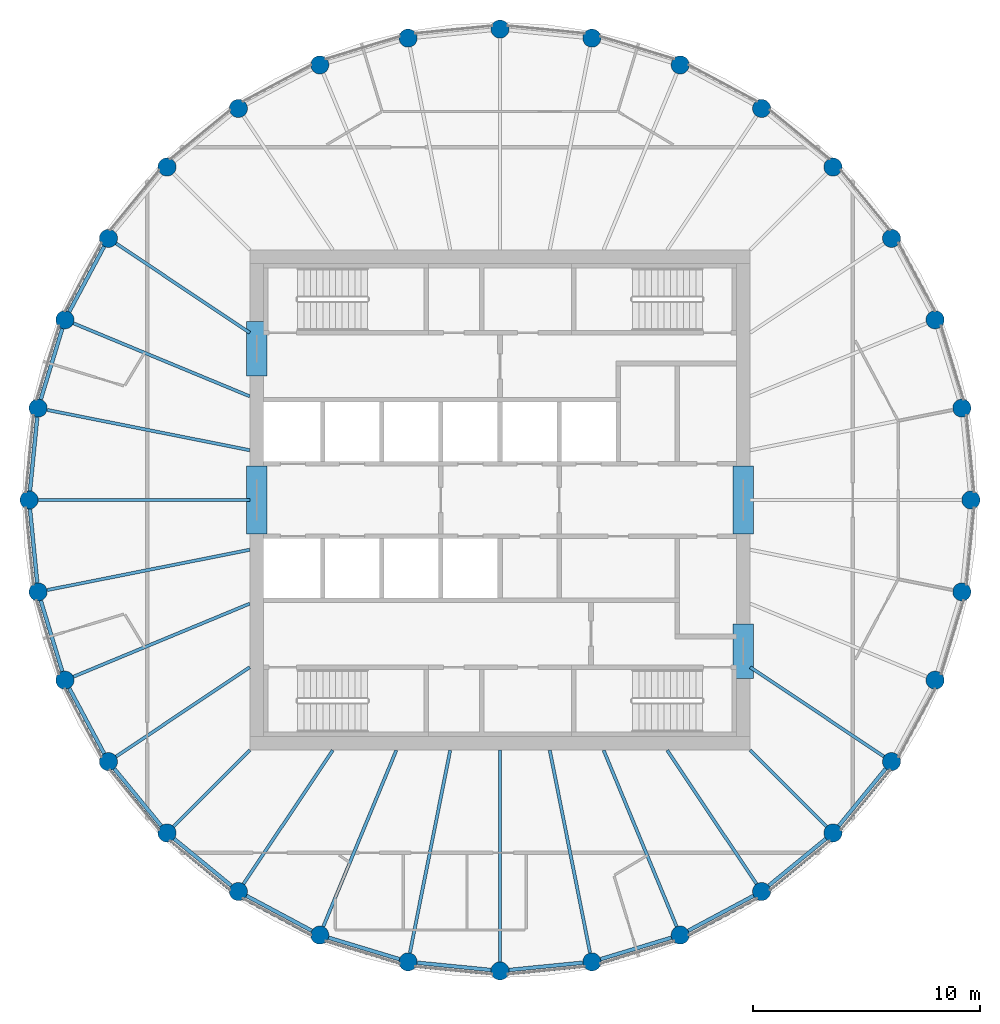
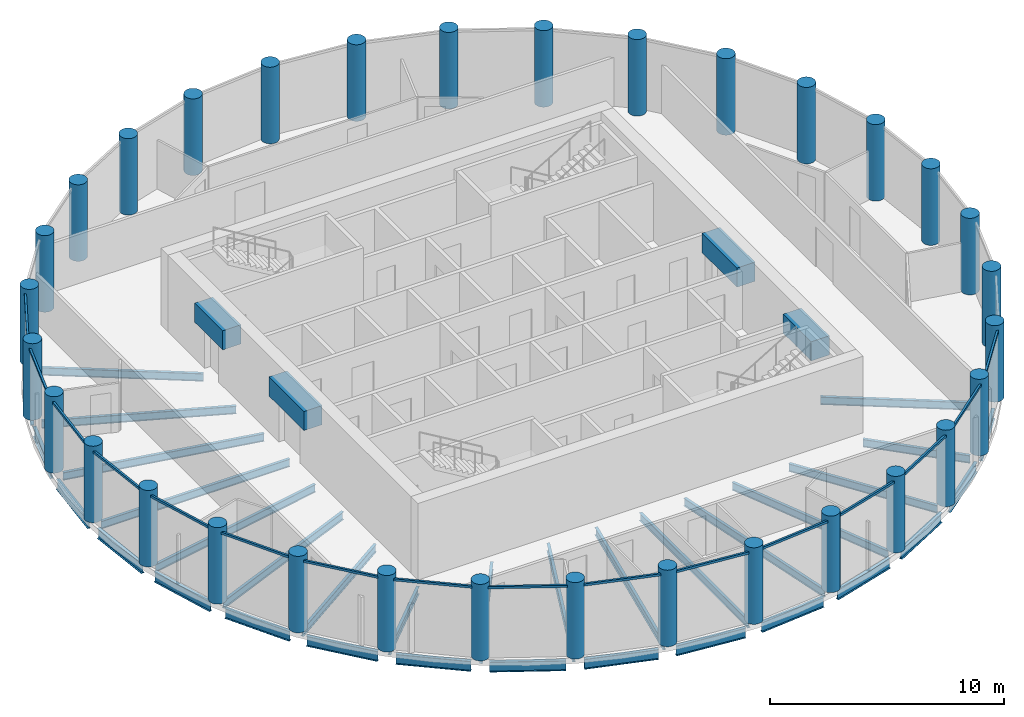
# One storey, part 1 of 7: 37 beams, 32 columns, 16 members, 16 elements without a shape of their own.
"""IFC4 building model written with IfcOpenShell, lengths in metres."""

from ifc_helpers import new_model, si_unit, direction, frame, origin, origin_2d, place, context, subcontext, project, spatial, rectangle, circle, i_section, extrude, material, material_profile, profile_set, type_object, element, aggregate, save


model = new_model("IFC4")

# Units and contexts
model_context = context("Model", 3, precision=1e-05, world=origin(), true_north=direction((0.0, 1.0)))
body_context = subcontext(model_context, "Body", "Model", "MODEL_VIEW")
ifc_project = project(units=[si_unit("LENGTHUNIT", "METRE"), si_unit("AREAUNIT", "SQUARE_METRE"), si_unit("VOLUMEUNIT", "CUBIC_METRE"), si_unit("PLANEANGLEUNIT", "RADIAN"), si_unit("MASSUNIT", "GRAM", prefix="KILO")], contexts=[model_context])

# Site, building, storey
site_placement = place(None, origin())
site = spatial("IfcSite", under=ifc_project, at=site_placement, CompositionType="ELEMENT")
building_placement = place(site_placement, origin())
building = spatial("IfcBuilding", under=site, at=building_placement, Name="Corvane Civic Tower", CompositionType="ELEMENT")
storey_placement = place(building_placement, frame((0.0, 0.0, 376.5)))
storey = spatial("IfcBuildingStorey", under=building, at=storey_placement, Name="L90", CompositionType="ELEMENT", Elevation=376.5)

# Columns
ifc_material_1 = material(Name="Concrete C60/75", Category="concrete")
ifc_material_profile_1 = material_profile(ifc_material_1, circle(Radius=0.39990234375, at=origin_2d()), Name="COLUMN 800")
ifc_profile_set_1 = profile_set([ifc_material_profile_1], Name="Concrete C60/75")
column_type = type_object("IfcColumnType", Name="RC COLUMN COLUMN 800", PredefinedType="COLUMN", material=ifc_profile_set_1)
for number, where, z_axis, x_axis, name in (
    (1, (0.0, 20.699951171875, 0.0), (0.0, 0.0, 1.0), (1.0, 0.0, 0.0), "COL-L90-F01"),
    (2, (4.038330078125, 20.30224609375, 0.0), (0.0, 0.0, 1.0), (1.0, 0.0, 0.0), "COL-L90-F02"),
    (3, (7.921630859375, 19.124267578125, 0.0), (0.0, 0.0, 1.0), (1.0, 0.0, 0.0), "COL-L90-F03"),
    (4, (11.500244140625, 17.21142578125, 0.0), (0.0, 0.0, 1.0), (1.0, 0.0, 0.0), "COL-L90-F04"),
    (5, (14.63720703125, 14.63720703125, 0.0), (0.0, 0.0, 1.0), (1.0, 0.0, 0.0), "COL-L90-F05"),
    (6, (17.21142578125, 11.500244140625, 0.0), (0.0, 0.0, 1.0), (1.0, 0.0, 0.0), "COL-L90-F06"),
    (7, (19.124267578125, 7.921630859375, 0.0), (0.0, 0.0, 1.0), (1.0, 0.0, 0.0), "COL-L90-F07"),
    (8, (20.30224609375, 4.038330078125, 0.0), (0.0, 0.0, 1.0), (1.0, 0.0, 0.0), "COL-L90-F08"),
    (9, (20.699951171875, 0.0, 0.0), (0.0, 0.0, 1.0), (1.0, 0.0, 0.0), "COL-L90-F09"),
    (10, (20.30224609375, -4.038330078125, 0.0), (0.0, 0.0, 1.0), (1.0, 0.0, 0.0), "COL-L90-F10"),
    (11, (19.124267578125, -7.921630859375, 0.0), (0.0, 0.0, 1.0), (1.0, 0.0, 0.0), "COL-L90-F11"),
    (12, (17.21142578125, -11.500244140625, 0.0), (0.0, 0.0, 1.0), (1.0, 0.0, 0.0), "COL-L90-F12"),
    (13, (14.63720703125, -14.63720703125, 0.0), (0.0, 0.0, 1.0), (1.0, 0.0, 0.0), "COL-L90-F13"),
    (14, (11.500244140625, -17.21142578125, 0.0), (0.0, 0.0, 1.0), (1.0, 0.0, 0.0), "COL-L90-F14"),
    (15, (7.921630859375, -19.124267578125, 0.0), (0.0, 0.0, 1.0), (1.0, 0.0, 0.0), "COL-L90-F15"),
    (16, (4.038330078125, -20.30224609375, 0.0), (0.0, 0.0, 1.0), (1.0, 0.0, 0.0), "COL-L90-F16"),
    (17, (0.0, -20.699951171875, 0.0), (0.0, 0.0, 1.0), (1.0, 0.0, 0.0), "COL-L90-F17"),
    (18, (-4.038330078125, -20.30224609375, 0.0), (0.0, 0.0, 1.0), (1.0, 0.0, 0.0), "COL-L90-F18"),
    (19, (-7.921630859375, -19.124267578125, 0.0), (0.0, 0.0, 1.0), (1.0, 0.0, 0.0), "COL-L90-F19"),
    (20, (-11.500244140625, -17.21142578125, 0.0), (0.0, 0.0, 1.0), (1.0, 0.0, 0.0), "COL-L90-F20"),
    (21, (-14.63720703125, -14.63720703125, 0.0), (0.0, 0.0, 1.0), (1.0, 0.0, 0.0), "COL-L90-F21"),
    (22, (-17.21142578125, -11.500244140625, 0.0), (0.0, 0.0, 1.0), (1.0, 0.0, 0.0), "COL-L90-F22"),
    (23, (-19.124267578125, -7.921630859375, 0.0), (0.0, 0.0, 1.0), (1.0, 0.0, 0.0), "COL-L90-F23"),
    (24, (-20.30224609375, -4.038330078125, 0.0), (0.0, 0.0, 1.0), (1.0, 0.0, 0.0), "COL-L90-F24"),
    (25, (-20.699951171875, 0.0, 0.0), (0.0, 0.0, 1.0), (1.0, 0.0, 0.0), "COL-L90-F25"),
    (26, (-20.30224609375, 4.038330078125, 0.0), (0.0, 0.0, 1.0), (1.0, 0.0, 0.0), "COL-L90-F26"),
    (27, (-19.124267578125, 7.921630859375, 0.0), (0.0, 0.0, 1.0), (1.0, 0.0, 0.0), "COL-L90-F27"),
    (28, (-17.21142578125, 11.500244140625, 0.0), (0.0, 0.0, 1.0), (1.0, 0.0, 0.0), "COL-L90-F28"),
    (29, (-14.63720703125, 14.63720703125, 0.0), (0.0, 0.0, 1.0), (1.0, 0.0, 0.0), "COL-L90-F29"),
    (30, (-11.500244140625, 17.21142578125, 0.0), (0.0, 0.0, 1.0), (1.0, 0.0, 0.0), "COL-L90-F30"),
    (31, (-7.921630859375, 19.124267578125, 0.0), (0.0, 0.0, 1.0), (1.0, 0.0, 0.0), "COL-L90-F31"),
    (32, (-4.038330078125, 20.30224609375, 0.0), (0.0, 0.0, 1.0), (1.0, 0.0, 0.0), "COL-L90-F32"),
):
    element("IfcColumn", number, at=place(storey_placement, frame(where, z_axis=z_axis, x_axis=x_axis)), inside=storey, type_object=column_type, Name=name, PredefinedType="COLUMN", context=body_context, shape_type="SweptSolid", body=[
        extrude(circle(Radius=0.39990234375, at=origin_2d()), origin(), (0.0, 0.0, 1.0), 4.0),
    ])

# Beams
ifc_material_2 = material(Name="Concrete C40/50", Category="concrete")
ifc_material_profile_2 = material_profile(ifc_material_2, rectangle(XDim=0.89990234375, YDim=1.0, at=origin_2d()), Name="COUPLING BEAM 900X1000")
ifc_profile_set_2 = profile_set([ifc_material_profile_2], Name="Concrete C40/50")
beam_type_1 = type_object("IfcBeamType", Name="COUPLING BEAM COUPLING BEAM 900X1000", PredefinedType="BEAM", material=ifc_profile_set_2)
for number, where, z_axis, x_axis, name in (
    (33, (-10.699951171875, -1.5, 2.60009765625), (0.0, 1.0, 0.0), (-1.0, 0.0, 0.0), "BM-L90-cpl-CW-LW"),
    (34, (10.699951171875, -1.5, 2.60009765625), (0.0, 1.0, 0.0), (-1.0, 0.0, 0.0), "BM-L90-cpl-CW-LE"),
):
    element("IfcBeam", number, at=place(storey_placement, frame(where, z_axis=z_axis, x_axis=x_axis)), inside=storey, type_object=beam_type_1, Name=name, PredefinedType="BEAM", context=body_context, shape_type="SweptSolid", body=[
        extrude(rectangle(XDim=0.89990234375, YDim=1.0, at=origin_2d()), origin(), (0.0, 0.0, 1.0), 3.0),
    ])
for number, where, z_axis, x_axis, name in (
    (35, (-10.699951171875, 5.449951171875, 2.60009765625), (0.0, 1.0, 0.0), (-1.0, 0.0, 0.0), "BM-L90-cpl-CW-WN"),
    (36, (10.699951171875, -7.85009765625, 2.60009765625), (0.0, 1.0, 0.0), (-1.0, 0.0, 0.0), "BM-L90-cpl-CW-ES"),
):
    element("IfcBeam", number, at=place(storey_placement, frame(where, z_axis=z_axis, x_axis=x_axis)), inside=storey, type_object=beam_type_1, Name=name, PredefinedType="BEAM", context=body_context, shape_type="SweptSolid", body=[
        extrude(rectangle(XDim=0.89990234375, YDim=1.0, at=origin_2d()), origin(), (0.0, 0.0, 1.0), 2.400146484375),
    ])
ifc_material_3 = material(Name="Steel ASTM A992 Gr 50", Category="steel")
ifc_material_profile_3 = material_profile(ifc_material_3, i_section(OverallWidth=0.165771484375, OverallDepth=0.5283203125, WebThickness=0.009765625, FlangeThickness=0.013671875, at=origin_2d()), Name="W21X50")
ifc_profile_set_3 = profile_set([ifc_material_profile_3], Name="Steel ASTM A992 Gr 50")
beam_type_2 = type_object("IfcBeamType", Name="EDGE BEAM W21X50", PredefinedType="BEAM", material=ifc_profile_set_3)
for number, where, z_axis, x_axis, name in (
    (37, (16.957763671875, -11.8095703125, -0.564208984375), (-0.634424551454, -0.772984791903, 0.0), (0.772984791903, -0.634424551454, 0.0), "BM-L90-E12"),
    (38, (14.327880859375, -14.890869140625, -0.564208984375), (-0.772984791903, -0.634424551454, 0.0), (0.634424551454, -0.772984791903, 0.0), "BM-L90-E13"),
    (39, (11.1474609375, -17.39990234375, -0.564208984375), (-0.881894065907, -0.471447618, 0.0), (0.471447618, -0.881894065907, 0.0), "BM-L90-E14"),
    (40, (7.538818359375, -19.240478515625, -0.564208984375), (-0.956955679349, -0.290234091317, 0.0), (0.290234091317, -0.956955679349, 0.0), "BM-L90-E15"),
):
    element("IfcBeam", number, at=place(storey_placement, frame(where, z_axis=z_axis, x_axis=x_axis)), inside=storey, type_object=beam_type_2, Name=name, PredefinedType="BEAM", context=body_context, shape_type="SweptSolid", body=[
        extrude(i_section(OverallWidth=0.165771484375, OverallDepth=0.5283203125, WebThickness=0.009765625, FlangeThickness=0.013671875, at=origin_2d()), origin(), (0.0, 0.0, 1.0), 3.2578125),
    ])
for number, where, z_axis, x_axis, name in (
    (41, (3.640380859375, -20.341552734375, -0.564208984375), (-0.995192503142, -0.097938152369, 0.0), (0.097938152369, -0.995192503142, 0.0), "BM-L90-E16"),
    (42, (-0.39794921875, -20.66064453125, -0.564208984375), (-0.995192503142, 0.097938152369, 0.0), (-0.097938152369, -0.995192503142, 0.0), "BM-L90-E17"),
):
    element("IfcBeam", number, at=place(storey_placement, frame(where, z_axis=z_axis, x_axis=x_axis)), inside=storey, type_object=beam_type_2, Name=name, PredefinedType="BEAM", context=body_context, shape_type="SweptSolid", body=[
        extrude(i_section(OverallWidth=0.165771484375, OverallDepth=0.5283203125, WebThickness=0.009765625, FlangeThickness=0.013671875, at=origin_2d()), origin(), (0.0, 0.0, 1.0), 3.258056640625),
    ])
for number, where, z_axis, x_axis, name in (
    (43, (-4.421142578125, -20.18603515625, -0.564208984375), (-0.956955679349, 0.290234091317, 0.0), (-0.290234091317, -0.956955679349, 0.0), "BM-L90-E18"),
    (44, (-8.2744140625, -18.935791015625, -0.564208984375), (-0.881894065907, 0.471447618, 0.0), (-0.471447618, -0.881894065907, 0.0), "BM-L90-E19"),
    (45, (-11.8095703125, -16.957763671875, -0.564208984375), (-0.772984791903, 0.634424551454, 0.0), (-0.634424551454, -0.772984791903, 0.0), "BM-L90-E20"),
    (46, (-14.890869140625, -14.327880859375, -0.564208984375), (-0.634424551454, 0.772984791903, 0.0), (-0.772984791903, -0.634424551454, 0.0), "BM-L90-E21"),
    (47, (-17.39990234375, -11.1474609375, -0.564208984375), (-0.471447618, 0.881894065907, 0.0), (-0.881894065907, -0.471447618, 0.0), "BM-L90-E22"),
    (48, (-19.240478515625, -7.538818359375, -0.564208984375), (-0.290234091317, 0.956955679349, 0.0), (-0.956955679349, -0.290234091317, 0.0), "BM-L90-E23"),
):
    element("IfcBeam", number, at=place(storey_placement, frame(where, z_axis=z_axis, x_axis=x_axis)), inside=storey, type_object=beam_type_2, Name=name, PredefinedType="BEAM", context=body_context, shape_type="SweptSolid", body=[
        extrude(i_section(OverallWidth=0.165771484375, OverallDepth=0.5283203125, WebThickness=0.009765625, FlangeThickness=0.013671875, at=origin_2d()), origin(), (0.0, 0.0, 1.0), 3.2578125),
    ])
for number, where, z_axis, x_axis, name in (
    (49, (-20.341552734375, -3.640380859375, -0.564208984375), (-0.097938152369, 0.995192503142, 0.0), (-0.995192503142, -0.097938152369, 0.0), "BM-L90-E24"),
    (50, (-20.66064453125, 0.39794921875, -0.564208984375), (0.097938152369, 0.995192503142, 0.0), (-0.995192503142, 0.097938152369, 0.0), "BM-L90-E25"),
):
    element("IfcBeam", number, at=place(storey_placement, frame(where, z_axis=z_axis, x_axis=x_axis)), inside=storey, type_object=beam_type_2, Name=name, PredefinedType="BEAM", context=body_context, shape_type="SweptSolid", body=[
        extrude(i_section(OverallWidth=0.165771484375, OverallDepth=0.5283203125, WebThickness=0.009765625, FlangeThickness=0.013671875, at=origin_2d()), origin(), (0.0, 0.0, 1.0), 3.258056640625),
    ])
for number, where, z_axis, x_axis, name in (
    (51, (-20.18603515625, 4.421142578125, -0.564208984375), (0.290234091317, 0.956955679349, 0.0), (-0.956955679349, 0.290234091317, 0.0), "BM-L90-E26"),
    (52, (-18.935791015625, 8.2744140625, -0.564208984375), (0.471447618, 0.881894065907, 0.0), (-0.881894065907, 0.471447618, 0.0), "BM-L90-E27"),
):
    element("IfcBeam", number, at=place(storey_placement, frame(where, z_axis=z_axis, x_axis=x_axis)), inside=storey, type_object=beam_type_2, Name=name, PredefinedType="BEAM", context=body_context, shape_type="SweptSolid", body=[
        extrude(i_section(OverallWidth=0.165771484375, OverallDepth=0.5283203125, WebThickness=0.009765625, FlangeThickness=0.013671875, at=origin_2d()), origin(), (0.0, 0.0, 1.0), 3.2578125),
    ])
ifc_material_4 = material(Name="Steel ASTM A992 Gr 50", Category="steel")
ifc_material_profile_4 = material_profile(ifc_material_4, i_section(OverallWidth=0.140380859375, OverallDepth=0.40380859375, WebThickness=0.007080078125, FlangeThickness=0.01123046875, at=origin_2d()), Name="W16X31")
ifc_profile_set_4 = profile_set([ifc_material_profile_4], Name="Steel ASTM A992 Gr 50")
beam_type_3 = type_object("IfcBeamType", Name="FLOOR GIRDER W16X31", PredefinedType="BEAM", material=ifc_profile_set_4)
beam_1_placement = place(storey_placement, frame((11.0, -7.349853515625, -0.501953125), z_axis=(0.831465490699, -0.555576401385, 0.0), x_axis=(0.555576401385, 0.831465490699, 0.0)))
element("IfcBeam", 53, at=beam_1_placement, inside=storey, type_object=beam_type_3, Name="BM-L90-G12", PredefinedType="BEAM", context=body_context, shape_type="SweptSolid", body=[
    extrude(i_section(OverallWidth=0.140380859375, OverallDepth=0.40380859375, WebThickness=0.007080078125, FlangeThickness=0.01123046875, at=origin_2d()), origin(), (0.0, 0.0, 1.0), 7.070556640625),
])
beam_2_placement = place(storey_placement, frame((11.0, -11.0, -0.501953125), z_axis=(0.707106781187, -0.707106781187, 0.0), x_axis=(0.707106781187, 0.707106781187, 0.0)))
element("IfcBeam", 54, at=beam_2_placement, inside=storey, type_object=beam_type_3, Name="BM-L90-G13", PredefinedType="BEAM", context=body_context, shape_type="SweptSolid", body=[
    extrude(i_section(OverallWidth=0.140380859375, OverallDepth=0.40380859375, WebThickness=0.007080078125, FlangeThickness=0.01123046875, at=origin_2d()), origin(), (0.0, 0.0, 1.0), 4.74365234375),
])
beam_3_placement = place(storey_placement, frame((7.349853515625, -11.0, -0.501953125), z_axis=(0.555576401385, -0.831465490699, 0.0), x_axis=(0.831465490699, 0.555576401385, 0.0)))
element("IfcBeam", 55, at=beam_3_placement, inside=storey, type_object=beam_type_3, Name="BM-L90-G14", PredefinedType="BEAM", context=body_context, shape_type="SweptSolid", body=[
    extrude(i_section(OverallWidth=0.140380859375, OverallDepth=0.40380859375, WebThickness=0.007080078125, FlangeThickness=0.01123046875, at=origin_2d()), origin(), (0.0, 0.0, 1.0), 7.070556640625),
])
beam_4_placement = place(storey_placement, frame((4.556396484375, -11.0, -0.501953125), z_axis=(0.382691739894, -0.923876091377, 0.0), x_axis=(0.923876091377, 0.382691739894, 0.0)))
element("IfcBeam", 56, at=beam_4_placement, inside=storey, type_object=beam_type_3, Name="BM-L90-G15", PredefinedType="BEAM", context=body_context, shape_type="SweptSolid", body=[
    extrude(i_section(OverallWidth=0.140380859375, OverallDepth=0.40380859375, WebThickness=0.007080078125, FlangeThickness=0.01123046875, at=origin_2d()), origin(), (0.0, 0.0, 1.0), 8.3935546875),
])
beam_5_placement = place(storey_placement, frame((2.18798828125, -11.0, -0.501953125), z_axis=(0.195108241061, -0.980781715913, 0.0), x_axis=(0.980781715913, 0.195108241061, 0.0)))
element("IfcBeam", 57, at=beam_5_placement, inside=storey, type_object=beam_type_3, Name="BM-L90-G16", PredefinedType="BEAM", context=body_context, shape_type="SweptSolid", body=[
    extrude(i_section(OverallWidth=0.140380859375, OverallDepth=0.40380859375, WebThickness=0.007080078125, FlangeThickness=0.01123046875, at=origin_2d()), origin(), (0.0, 0.0, 1.0), 9.08447265625),
])
beam_6_placement = place(storey_placement, frame((0.0, -11.0, -0.501953125), z_axis=(0.0, -1.0, 0.0), x_axis=(1.0, 0.0, 0.0)))
element("IfcBeam", 58, at=beam_6_placement, inside=storey, type_object=beam_type_3, Name="BM-L90-G17", PredefinedType="BEAM", context=body_context, shape_type="SweptSolid", body=[
    extrude(i_section(OverallWidth=0.140380859375, OverallDepth=0.40380859375, WebThickness=0.007080078125, FlangeThickness=0.01123046875, at=origin_2d()), origin(), (0.0, 0.0, 1.0), 9.300048828125),
])
beam_7_placement = place(storey_placement, frame((-2.18798828125, -11.0, -0.501953125), z_axis=(-0.195108241061, -0.980781715913, 0.0), x_axis=(0.980781715913, -0.195108241061, 0.0)))
element("IfcBeam", 59, at=beam_7_placement, inside=storey, type_object=beam_type_3, Name="BM-L90-G18", PredefinedType="BEAM", context=body_context, shape_type="SweptSolid", body=[
    extrude(i_section(OverallWidth=0.140380859375, OverallDepth=0.40380859375, WebThickness=0.007080078125, FlangeThickness=0.01123046875, at=origin_2d()), origin(), (0.0, 0.0, 1.0), 9.08447265625),
])
beam_8_placement = place(storey_placement, frame((-4.556396484375, -11.0, -0.501953125), z_axis=(-0.382691739894, -0.923876091377, 0.0), x_axis=(0.923876091377, -0.382691739894, 0.0)))
element("IfcBeam", 60, at=beam_8_placement, inside=storey, type_object=beam_type_3, Name="BM-L90-G19", PredefinedType="BEAM", context=body_context, shape_type="SweptSolid", body=[
    extrude(i_section(OverallWidth=0.140380859375, OverallDepth=0.40380859375, WebThickness=0.007080078125, FlangeThickness=0.01123046875, at=origin_2d()), origin(), (0.0, 0.0, 1.0), 8.3935546875),
])
beam_9_placement = place(storey_placement, frame((-7.349853515625, -11.0, -0.501953125), z_axis=(-0.555576401385, -0.831465490699, 0.0), x_axis=(0.831465490699, -0.555576401385, 0.0)))
element("IfcBeam", 61, at=beam_9_placement, inside=storey, type_object=beam_type_3, Name="BM-L90-G20", PredefinedType="BEAM", context=body_context, shape_type="SweptSolid", body=[
    extrude(i_section(OverallWidth=0.140380859375, OverallDepth=0.40380859375, WebThickness=0.007080078125, FlangeThickness=0.01123046875, at=origin_2d()), origin(), (0.0, 0.0, 1.0), 7.070556640625),
])
beam_10_placement = place(storey_placement, frame((-11.0, -11.0, -0.501953125), z_axis=(-0.707106781187, -0.707106781187, 0.0), x_axis=(0.707106781187, -0.707106781187, 0.0)))
element("IfcBeam", 62, at=beam_10_placement, inside=storey, type_object=beam_type_3, Name="BM-L90-G21", PredefinedType="BEAM", context=body_context, shape_type="SweptSolid", body=[
    extrude(i_section(OverallWidth=0.140380859375, OverallDepth=0.40380859375, WebThickness=0.007080078125, FlangeThickness=0.01123046875, at=origin_2d()), origin(), (0.0, 0.0, 1.0), 4.74365234375),
])
beam_11_placement = place(storey_placement, frame((-11.0, -7.349853515625, -0.501953125), z_axis=(-0.831465490699, -0.555576401385, 0.0), x_axis=(0.555576401385, -0.831465490699, 0.0)))
element("IfcBeam", 63, at=beam_11_placement, inside=storey, type_object=beam_type_3, Name="BM-L90-G22", PredefinedType="BEAM", context=body_context, shape_type="SweptSolid", body=[
    extrude(i_section(OverallWidth=0.140380859375, OverallDepth=0.40380859375, WebThickness=0.007080078125, FlangeThickness=0.01123046875, at=origin_2d()), origin(), (0.0, 0.0, 1.0), 7.070556640625),
])
beam_12_placement = place(storey_placement, frame((-11.0, -4.556396484375, -0.501953125), z_axis=(-0.923876091377, -0.382691739894, 0.0), x_axis=(0.382691739894, -0.923876091377, 0.0)))
element("IfcBeam", 64, at=beam_12_placement, inside=storey, type_object=beam_type_3, Name="BM-L90-G23", PredefinedType="BEAM", context=body_context, shape_type="SweptSolid", body=[
    extrude(i_section(OverallWidth=0.140380859375, OverallDepth=0.40380859375, WebThickness=0.007080078125, FlangeThickness=0.01123046875, at=origin_2d()), origin(), (0.0, 0.0, 1.0), 8.3935546875),
])
beam_13_placement = place(storey_placement, frame((-11.0, -2.18798828125, -0.501953125), z_axis=(-0.980781715913, -0.195108241061, 0.0), x_axis=(0.195108241061, -0.980781715913, 0.0)))
element("IfcBeam", 65, at=beam_13_placement, inside=storey, type_object=beam_type_3, Name="BM-L90-G24", PredefinedType="BEAM", context=body_context, shape_type="SweptSolid", body=[
    extrude(i_section(OverallWidth=0.140380859375, OverallDepth=0.40380859375, WebThickness=0.007080078125, FlangeThickness=0.01123046875, at=origin_2d()), origin(), (0.0, 0.0, 1.0), 9.08447265625),
])
beam_14_placement = place(storey_placement, frame((-11.0, 0.0, -0.501953125), z_axis=(-1.0, 0.0, 0.0), x_axis=(0.0, -1.0, 0.0)))
element("IfcBeam", 66, at=beam_14_placement, inside=storey, type_object=beam_type_3, Name="BM-L90-G25", PredefinedType="BEAM", context=body_context, shape_type="SweptSolid", body=[
    extrude(i_section(OverallWidth=0.140380859375, OverallDepth=0.40380859375, WebThickness=0.007080078125, FlangeThickness=0.01123046875, at=origin_2d()), origin(), (0.0, 0.0, 1.0), 9.300048828125),
])
beam_15_placement = place(storey_placement, frame((-11.0, 2.18798828125, -0.501953125), z_axis=(-0.980781715913, 0.195108241061, 0.0), x_axis=(-0.195108241061, -0.980781715913, 0.0)))
element("IfcBeam", 67, at=beam_15_placement, inside=storey, type_object=beam_type_3, Name="BM-L90-G26", PredefinedType="BEAM", context=body_context, shape_type="SweptSolid", body=[
    extrude(i_section(OverallWidth=0.140380859375, OverallDepth=0.40380859375, WebThickness=0.007080078125, FlangeThickness=0.01123046875, at=origin_2d()), origin(), (0.0, 0.0, 1.0), 9.08447265625),
])
beam_16_placement = place(storey_placement, frame((-11.0, 4.556396484375, -0.501953125), z_axis=(-0.923876091377, 0.382691739894, 0.0), x_axis=(-0.382691739894, -0.923876091377, 0.0)))
element("IfcBeam", 68, at=beam_16_placement, inside=storey, type_object=beam_type_3, Name="BM-L90-G27", PredefinedType="BEAM", context=body_context, shape_type="SweptSolid", body=[
    extrude(i_section(OverallWidth=0.140380859375, OverallDepth=0.40380859375, WebThickness=0.007080078125, FlangeThickness=0.01123046875, at=origin_2d()), origin(), (0.0, 0.0, 1.0), 8.3935546875),
])
beam_17_placement = place(storey_placement, frame((-11.0, 7.349853515625, -0.501953125), z_axis=(-0.831465490699, 0.555576401385, 0.0), x_axis=(-0.555576401385, -0.831465490699, 0.0)))
element("IfcBeam", 69, at=beam_17_placement, inside=storey, type_object=beam_type_3, Name="BM-L90-G28", PredefinedType="BEAM", context=body_context, shape_type="SweptSolid", body=[
    extrude(i_section(OverallWidth=0.140380859375, OverallDepth=0.40380859375, WebThickness=0.007080078125, FlangeThickness=0.01123046875, at=origin_2d()), origin(), (0.0, 0.0, 1.0), 7.070556640625),
])

# Curtain wall, member
ifc_material_5 = material(Name="Anodised aluminium bronze", Category="aluminium")
curtain_wall_type = type_object("IfcCurtainWallType", Name="TOWER CW-T3 STICK CURTAIN WALL", PredefinedType="NOTDEFINED", material=ifc_material_5)
curtain_wall_1_placement = place(storey_placement, origin())
curtain_wall_1 = element("IfcCurtainWall", 70, at=curtain_wall_1_placement, inside=storey, type_object=curtain_wall_type, Name="Curtain wall CW-T3 L90 bay 12", PredefinedType="NOTDEFINED")
ifc_material_6 = material(Name="Anodised aluminium bronze", Category="aluminium")
ifc_material_profile_5 = material_profile(ifc_material_6, rectangle(XDim=0.10009765625, YDim=0.1201171875, at=origin_2d()), Name="TOWER CW-T3 TRANSOM 100x120")
ifc_profile_set_5 = profile_set([ifc_material_profile_5], Name="Anodised aluminium bronze")
member_type = type_object("IfcMemberType", Name="TOWER CW-T3 TRANSOM 100x120", PredefinedType="USERDEFINED", material=ifc_profile_set_5)
member_1_placement = place(storey_placement, frame((17.14208984375, -11.8671875, 3.68994140625), z_axis=(-0.634393571736, -0.773010217358, 0.0), x_axis=(0.773010217358, -0.634393571736, 0.0)))
member_1 = element("IfcMember", 71, at=member_1_placement, type_object=member_type, Name="Transom CW-T3 L90 12.1", ObjectType="TRANSOM", PredefinedType="USERDEFINED", context=body_context, shape_type="SweptSolid", body=[
    extrude(rectangle(XDim=0.10009765625, YDim=0.1201171875, at=origin_2d()), origin(), (0.0, 0.0, 1.0), 3.40283203125),
])
aggregate(curtain_wall_1, [member_1])

curtain_wall_2_placement = place(storey_placement, origin())
curtain_wall_2 = element("IfcCurtainWall", 72, at=curtain_wall_2_placement, inside=storey, type_object=curtain_wall_type, Name="Curtain wall CW-T3 L90 bay 13", PredefinedType="NOTDEFINED")
member_2_placement = place(storey_placement, frame((14.49755859375, -14.9833984375, 3.68994140625), z_axis=(-0.773010217358, -0.634393571736, 0.0), x_axis=(0.634393571736, -0.773010217358, 0.0)))
member_2 = element("IfcMember", 73, at=member_2_placement, type_object=member_type, Name="Transom CW-T3 L90 13.1", ObjectType="TRANSOM", PredefinedType="USERDEFINED", context=body_context, shape_type="SweptSolid", body=[
    extrude(rectangle(XDim=0.10009765625, YDim=0.1201171875, at=origin_2d()), origin(), (0.0, 0.0, 1.0), 3.40283203125),
])
aggregate(curtain_wall_2, [member_2])

curtain_wall_3_placement = place(storey_placement, origin())
curtain_wall_3 = element("IfcCurtainWall", 74, at=curtain_wall_3_placement, inside=storey, type_object=curtain_wall_type, Name="Curtain wall CW-T3 L90 bay 14", PredefinedType="NOTDEFINED")
member_3_placement = place(storey_placement, frame((11.295654296875, -17.52392578125, 3.68994140625), z_axis=(-0.881941440444, -0.471358988063, 0.0), x_axis=(0.471358988063, -0.881941440444, 0.0)))
member_3 = element("IfcMember", 75, at=member_3_placement, type_object=member_type, Name="Transom CW-T3 L90 14.1", ObjectType="TRANSOM", PredefinedType="USERDEFINED", context=body_context, shape_type="SweptSolid", body=[
    extrude(rectangle(XDim=0.10009765625, YDim=0.1201171875, at=origin_2d()), origin(), (0.0, 0.0, 1.0), 3.40234375),
])
aggregate(curtain_wall_3, [member_3])

curtain_wall_4_placement = place(storey_placement, origin())
curtain_wall_4 = element("IfcCurtainWall", 76, at=curtain_wall_4_placement, inside=storey, type_object=curtain_wall_type, Name="Curtain wall CW-T3 L90 bay 15", PredefinedType="NOTDEFINED")
member_4_placement = place(storey_placement, frame((7.66015625, -19.390869140625, 3.68994140625), z_axis=(-0.956961022204, -0.290216474345, 0.0), x_axis=(0.290216474345, -0.956961022204, 0.0)))
member_4 = element("IfcMember", 77, at=member_4_placement, type_object=member_type, Name="Transom CW-T3 L90 15.1", ObjectType="TRANSOM", PredefinedType="USERDEFINED", context=body_context, shape_type="SweptSolid", body=[
    extrude(rectangle(XDim=0.10009765625, YDim=0.1201171875, at=origin_2d()), origin(), (0.0, 0.0, 1.0), 3.40283203125),
])
aggregate(curtain_wall_4, [member_4])

curtain_wall_5_placement = place(storey_placement, origin())
curtain_wall_5 = element("IfcCurtainWall", 78, at=curtain_wall_5_placement, inside=storey, type_object=curtain_wall_type, Name="Curtain wall CW-T3 L90 bay 16", PredefinedType="NOTDEFINED")
member_5_placement = place(storey_placement, frame((3.729736328125, -20.5126953125, 3.68994140625), z_axis=(-0.995191564676, -0.097947688066, 0.0), x_axis=(0.097947688066, -0.995191564676, 0.0)))
member_5 = element("IfcMember", 79, at=member_5_placement, type_object=member_type, Name="Transom CW-T3 L90 16.1", ObjectType="TRANSOM", PredefinedType="USERDEFINED", context=body_context, shape_type="SweptSolid", body=[
    extrude(rectangle(XDim=0.10009765625, YDim=0.1201171875, at=origin_2d()), origin(), (0.0, 0.0, 1.0), 3.40234375),
])
aggregate(curtain_wall_5, [member_5])

curtain_wall_6_placement = place(storey_placement, origin())
curtain_wall_6 = element("IfcCurtainWall", 80, at=curtain_wall_6_placement, inside=storey, type_object=curtain_wall_type, Name="Curtain wall CW-T3 L90 bay 17", PredefinedType="NOTDEFINED")
member_6_placement = place(storey_placement, frame((-0.34375, -20.845947265625, 3.68994140625), z_axis=(-0.995191564676, 0.097947688066, 0.0), x_axis=(-0.097947688066, -0.995191564676, 0.0)))
member_6 = element("IfcMember", 81, at=member_6_placement, type_object=member_type, Name="Transom CW-T3 L90 17.1", ObjectType="TRANSOM", PredefinedType="USERDEFINED", context=body_context, shape_type="SweptSolid", body=[
    extrude(rectangle(XDim=0.10009765625, YDim=0.1201171875, at=origin_2d()), origin(), (0.0, 0.0, 1.0), 3.40234375),
])
aggregate(curtain_wall_6, [member_6])

curtain_wall_7_placement = place(storey_placement, origin())
curtain_wall_7 = element("IfcCurtainWall", 82, at=curtain_wall_7_placement, inside=storey, type_object=curtain_wall_type, Name="Curtain wall CW-T3 L90 bay 18", PredefinedType="NOTDEFINED")
member_7_placement = place(storey_placement, frame((-4.40380859375, -20.37841796875, 3.68994140625), z_axis=(-0.956961022204, 0.290216474345, 0.0), x_axis=(-0.290216474345, -0.956961022204, 0.0)))
member_7 = element("IfcMember", 83, at=member_7_placement, type_object=member_type, Name="Transom CW-T3 L90 18.1", ObjectType="TRANSOM", PredefinedType="USERDEFINED", context=body_context, shape_type="SweptSolid", body=[
    extrude(rectangle(XDim=0.10009765625, YDim=0.1201171875, at=origin_2d()), origin(), (0.0, 0.0, 1.0), 3.40283203125),
])
aggregate(curtain_wall_7, [member_7])

curtain_wall_8_placement = place(storey_placement, origin())
curtain_wall_8 = element("IfcCurtainWall", 84, at=curtain_wall_8_placement, inside=storey, type_object=curtain_wall_type, Name="Curtain wall CW-T3 L90 bay 19", PredefinedType="NOTDEFINED")
member_8_placement = place(storey_placement, frame((-8.294921875, -19.127685546875, 3.68994140625), z_axis=(-0.881941440444, 0.471358988063, 0.0), x_axis=(-0.471358988063, -0.881941440444, 0.0)))
member_8 = element("IfcMember", 85, at=member_8_placement, type_object=member_type, Name="Transom CW-T3 L90 19.1", ObjectType="TRANSOM", PredefinedType="USERDEFINED", context=body_context, shape_type="SweptSolid", body=[
    extrude(rectangle(XDim=0.10009765625, YDim=0.1201171875, at=origin_2d()), origin(), (0.0, 0.0, 1.0), 3.40234375),
])
aggregate(curtain_wall_8, [member_8])

curtain_wall_9_placement = place(storey_placement, origin())
curtain_wall_9 = element("IfcCurtainWall", 86, at=curtain_wall_9_placement, inside=storey, type_object=curtain_wall_type, Name="Curtain wall CW-T3 L90 bay 20", PredefinedType="NOTDEFINED")
member_9_placement = place(storey_placement, frame((-11.8671875, -17.14208984375, 3.68994140625), z_axis=(-0.773010217358, 0.634393571736, 0.0), x_axis=(-0.634393571736, -0.773010217358, 0.0)))
member_9 = element("IfcMember", 87, at=member_9_placement, type_object=member_type, Name="Transom CW-T3 L90 20.1", ObjectType="TRANSOM", PredefinedType="USERDEFINED", context=body_context, shape_type="SweptSolid", body=[
    extrude(rectangle(XDim=0.10009765625, YDim=0.1201171875, at=origin_2d()), origin(), (0.0, 0.0, 1.0), 3.40283203125),
])
aggregate(curtain_wall_9, [member_9])

curtain_wall_10_placement = place(storey_placement, origin())
curtain_wall_10 = element("IfcCurtainWall", 88, at=curtain_wall_10_placement, inside=storey, type_object=curtain_wall_type, Name="Curtain wall CW-T3 L90 bay 21", PredefinedType="NOTDEFINED")
member_10_placement = place(storey_placement, frame((-14.9833984375, -14.49755859375, 3.68994140625), z_axis=(-0.634393571736, 0.773010217358, 0.0), x_axis=(-0.773010217358, -0.634393571736, 0.0)))
member_10 = element("IfcMember", 89, at=member_10_placement, type_object=member_type, Name="Transom CW-T3 L90 21.1", ObjectType="TRANSOM", PredefinedType="USERDEFINED", context=body_context, shape_type="SweptSolid", body=[
    extrude(rectangle(XDim=0.10009765625, YDim=0.1201171875, at=origin_2d()), origin(), (0.0, 0.0, 1.0), 3.40283203125),
])
aggregate(curtain_wall_10, [member_10])

curtain_wall_11_placement = place(storey_placement, origin())
curtain_wall_11 = element("IfcCurtainWall", 90, at=curtain_wall_11_placement, inside=storey, type_object=curtain_wall_type, Name="Curtain wall CW-T3 L90 bay 22", PredefinedType="NOTDEFINED")
member_11_placement = place(storey_placement, frame((-17.52392578125, -11.295654296875, 3.68994140625), z_axis=(-0.471358988063, 0.881941440444, 0.0), x_axis=(-0.881941440444, -0.471358988063, 0.0)))
member_11 = element("IfcMember", 91, at=member_11_placement, type_object=member_type, Name="Transom CW-T3 L90 22.1", ObjectType="TRANSOM", PredefinedType="USERDEFINED", context=body_context, shape_type="SweptSolid", body=[
    extrude(rectangle(XDim=0.10009765625, YDim=0.1201171875, at=origin_2d()), origin(), (0.0, 0.0, 1.0), 3.40234375),
])
aggregate(curtain_wall_11, [member_11])

curtain_wall_12_placement = place(storey_placement, origin())
curtain_wall_12 = element("IfcCurtainWall", 92, at=curtain_wall_12_placement, inside=storey, type_object=curtain_wall_type, Name="Curtain wall CW-T3 L90 bay 23", PredefinedType="NOTDEFINED")
member_12_placement = place(storey_placement, frame((-19.390869140625, -7.66015625, 3.68994140625), z_axis=(-0.290216474345, 0.956961022204, 0.0), x_axis=(-0.956961022204, -0.290216474345, 0.0)))
member_12 = element("IfcMember", 93, at=member_12_placement, type_object=member_type, Name="Transom CW-T3 L90 23.1", ObjectType="TRANSOM", PredefinedType="USERDEFINED", context=body_context, shape_type="SweptSolid", body=[
    extrude(rectangle(XDim=0.10009765625, YDim=0.1201171875, at=origin_2d()), origin(), (0.0, 0.0, 1.0), 3.40283203125),
])
aggregate(curtain_wall_12, [member_12])

curtain_wall_13_placement = place(storey_placement, origin())
curtain_wall_13 = element("IfcCurtainWall", 94, at=curtain_wall_13_placement, inside=storey, type_object=curtain_wall_type, Name="Curtain wall CW-T3 L90 bay 24", PredefinedType="NOTDEFINED")
member_13_placement = place(storey_placement, frame((-20.5126953125, -3.729736328125, 3.68994140625), z_axis=(-0.097947688066, 0.995191564676, 0.0), x_axis=(-0.995191564676, -0.097947688066, 0.0)))
member_13 = element("IfcMember", 95, at=member_13_placement, type_object=member_type, Name="Transom CW-T3 L90 24.1", ObjectType="TRANSOM", PredefinedType="USERDEFINED", context=body_context, shape_type="SweptSolid", body=[
    extrude(rectangle(XDim=0.10009765625, YDim=0.1201171875, at=origin_2d()), origin(), (0.0, 0.0, 1.0), 3.40234375),
])
aggregate(curtain_wall_13, [member_13])

curtain_wall_14_placement = place(storey_placement, origin())
curtain_wall_14 = element("IfcCurtainWall", 96, at=curtain_wall_14_placement, inside=storey, type_object=curtain_wall_type, Name="Curtain wall CW-T3 L90 bay 25", PredefinedType="NOTDEFINED")
member_14_placement = place(storey_placement, frame((-20.845947265625, 0.34375, 3.68994140625), z_axis=(0.097947688066, 0.995191564676, 0.0), x_axis=(-0.995191564676, 0.097947688066, 0.0)))
member_14 = element("IfcMember", 97, at=member_14_placement, type_object=member_type, Name="Transom CW-T3 L90 25.1", ObjectType="TRANSOM", PredefinedType="USERDEFINED", context=body_context, shape_type="SweptSolid", body=[
    extrude(rectangle(XDim=0.10009765625, YDim=0.1201171875, at=origin_2d()), origin(), (0.0, 0.0, 1.0), 3.40234375),
])
aggregate(curtain_wall_14, [member_14])

curtain_wall_15_placement = place(storey_placement, origin())
curtain_wall_15 = element("IfcCurtainWall", 98, at=curtain_wall_15_placement, inside=storey, type_object=curtain_wall_type, Name="Curtain wall CW-T3 L90 bay 26", PredefinedType="NOTDEFINED")
member_15_placement = place(storey_placement, frame((-20.37841796875, 4.40380859375, 3.68994140625), z_axis=(0.290216474345, 0.956961022204, 0.0), x_axis=(-0.956961022204, 0.290216474345, 0.0)))
member_15 = element("IfcMember", 99, at=member_15_placement, type_object=member_type, Name="Transom CW-T3 L90 26.1", ObjectType="TRANSOM", PredefinedType="USERDEFINED", context=body_context, shape_type="SweptSolid", body=[
    extrude(rectangle(XDim=0.10009765625, YDim=0.1201171875, at=origin_2d()), origin(), (0.0, 0.0, 1.0), 3.40283203125),
])
aggregate(curtain_wall_15, [member_15])

curtain_wall_16_placement = place(storey_placement, origin())
curtain_wall_16 = element("IfcCurtainWall", 100, at=curtain_wall_16_placement, inside=storey, type_object=curtain_wall_type, Name="Curtain wall CW-T3 L90 bay 27", PredefinedType="NOTDEFINED")
member_16_placement = place(storey_placement, frame((-19.127685546875, 8.294921875, 3.68994140625), z_axis=(0.471358988063, 0.881941440444, 0.0), x_axis=(-0.881941440444, 0.471358988063, 0.0)))
member_16 = element("IfcMember", 101, at=member_16_placement, type_object=member_type, Name="Transom CW-T3 L90 27.1", ObjectType="TRANSOM", PredefinedType="USERDEFINED", context=body_context, shape_type="SweptSolid", body=[
    extrude(rectangle(XDim=0.10009765625, YDim=0.1201171875, at=origin_2d()), origin(), (0.0, 0.0, 1.0), 3.40234375),
])
aggregate(curtain_wall_16, [member_16])

save(model, "model.ifc")
